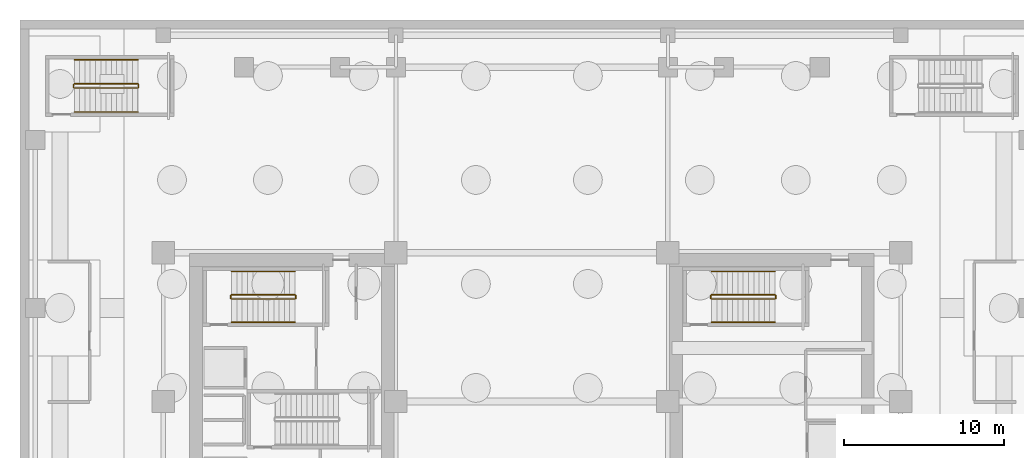
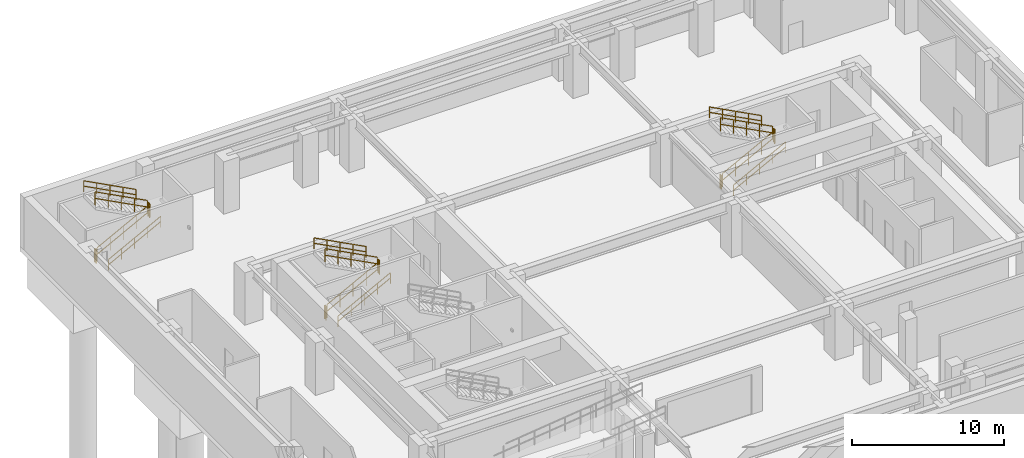
# One storey, part 7 of 9: 18 railings.
"""IFC4 building model written with IfcOpenShell, lengths in metres."""

from ifc_helpers import new_model, si_unit, direction, frame, origin, origin_2d, place, context, subcontext, project, spatial, rectangle, extrude, material, type_object, element, save


model = new_model("IFC4")

# Units and contexts
model_context = context("Model", 3, precision=1e-05, world=origin(), true_north=direction((0.0, 1.0)))
body_context = subcontext(model_context, "Body", "Model", "MODEL_VIEW")
ifc_project = project(units=[si_unit("LENGTHUNIT", "METRE"), si_unit("AREAUNIT", "SQUARE_METRE"), si_unit("VOLUMEUNIT", "CUBIC_METRE"), si_unit("PLANEANGLEUNIT", "RADIAN"), si_unit("MASSUNIT", "GRAM", prefix="KILO")], contexts=[model_context])

# Site, building, storey
site_placement = place(None, origin())
site = spatial("IfcSite", under=ifc_project, at=site_placement, CompositionType="ELEMENT")
building_placement = place(site_placement, origin())
building = spatial("IfcBuilding", under=site, at=building_placement, Name="Ocotamira Hotel", CompositionType="ELEMENT")
storey_placement = place(building_placement, frame((0.0, 0.0, -9.0)))
storey = spatial("IfcBuildingStorey", under=building, at=storey_placement, Name="B02", CompositionType="ELEMENT", Elevation=-9.0)

# Railings
ifc_material_1 = material(Name="Brushed stainless steel handrail", Category="steel")
railing_type_1 = type_object("IfcRailingType", Name="RL-HAND-900", PredefinedType="HANDRAIL", material=ifc_material_1)
railing_1_placement = place(storey_placement, frame((13.22998046875, 33.10009765625, 0.34619140625)))
element("IfcRailing", 1, at=railing_1_placement, inside=storey, type_object=railing_type_1, Name="B02 ST-2 stair handrail 1", PredefinedType="HANDRAIL", context=body_context, shape_type="SweptSolid", body=[
    extrude(rectangle(XDim=0.048095703125, YDim=0.048095703125, at=origin_2d()), frame((0.0, 0.0, 0.8759765625), z_axis=(0.885588829464, 0.0, 0.464470047611), x_axis=(0.0, 1.0, 0.0)), (0.0, 0.0, 1.0), 4.471435546875),
    extrude(rectangle(XDim=0.048095703125, YDim=0.048095703125, at=origin_2d()), frame((0.0, 0.0, 0.449951171875), z_axis=(0.885588829464, 0.0, 0.464470047611), x_axis=(0.0, 1.0, 0.0)), (0.0, 0.0, 1.0), 4.471435546875),
    extrude(rectangle(XDim=0.0419921875, YDim=0.0419921875, at=origin_2d()), origin(), (0.0, 0.0, 1.0), 0.851806640625),
    extrude(rectangle(XDim=0.0419921875, YDim=0.0419921875, at=origin_2d()), frame((0.989990234375, 0.0, 0.519287109375)), (0.0, 0.0, 1.0), 0.851806640625),
    extrude(rectangle(XDim=0.0419921875, YDim=0.0419921875, at=origin_2d()), frame((1.97998046875, 0.0, 1.03857421875)), (0.0, 0.0, 1.0), 0.851806640625),
    extrude(rectangle(XDim=0.0419921875, YDim=0.0419921875, at=origin_2d()), frame((2.969970703125, 0.0, 1.5576171875)), (0.0, 0.0, 1.0), 0.851806640625),
    extrude(rectangle(XDim=0.0419921875, YDim=0.0419921875, at=origin_2d()), frame((3.9599609375, 0.0, 2.076904296875)), (0.0, 0.0, 1.0), 0.851806640625),
])
railing_2_placement = place(storey_placement, frame((17.18994140625, 36.280029296875, 2.59619140625)))
element("IfcRailing", 2, at=railing_2_placement, inside=storey, type_object=railing_type_1, Name="B02 ST-2 stair handrail 2", PredefinedType="HANDRAIL", context=body_context, shape_type="SweptSolid", body=[
    extrude(rectangle(XDim=0.048095703125, YDim=0.048095703125, at=origin_2d()), frame((0.0, 0.0, 0.8759765625), z_axis=(-0.885588829464, 0.0, 0.464470047611), x_axis=(0.0, -1.0, 0.0)), (0.0, 0.0, 1.0), 4.471435546875),
    extrude(rectangle(XDim=0.048095703125, YDim=0.048095703125, at=origin_2d()), frame((0.0, 0.0, 0.449951171875), z_axis=(-0.885588829464, 0.0, 0.464470047611), x_axis=(0.0, -1.0, 0.0)), (0.0, 0.0, 1.0), 4.471435546875),
    extrude(rectangle(XDim=0.0419921875, YDim=0.0419921875, at=origin_2d()), origin(), (0.0, 0.0, 1.0), 0.851806640625),
    extrude(rectangle(XDim=0.0419921875, YDim=0.0419921875, at=origin_2d()), frame((-0.989990234375, 0.0, 0.519287109375)), (0.0, 0.0, 1.0), 0.851806640625),
    extrude(rectangle(XDim=0.0419921875, YDim=0.0419921875, at=origin_2d()), frame((-1.97998046875, 0.0, 1.03857421875)), (0.0, 0.0, 1.0), 0.851806640625),
    extrude(rectangle(XDim=0.0419921875, YDim=0.0419921875, at=origin_2d()), frame((-2.969970703125, 0.0, 1.5576171875)), (0.0, 0.0, 1.0), 0.851806640625),
    extrude(rectangle(XDim=0.0419921875, YDim=0.0419921875, at=origin_2d()), frame((-3.9599609375, 0.0, 2.076904296875)), (0.0, 0.0, 1.0), 0.851806640625),
])
railing_3_placement = place(storey_placement, frame((43.22998046875, 33.10009765625, 0.34619140625)))
element("IfcRailing", 3, at=railing_3_placement, inside=storey, type_object=railing_type_1, Name="B02 ST-4 stair handrail 1", PredefinedType="HANDRAIL", context=body_context, shape_type="SweptSolid", body=[
    extrude(rectangle(XDim=0.048095703125, YDim=0.048095703125, at=origin_2d()), frame((0.0, 0.0, 0.8759765625), z_axis=(0.885588829464, 0.0, 0.464470047611), x_axis=(0.0, 1.0, 0.0)), (0.0, 0.0, 1.0), 4.471435546875),
    extrude(rectangle(XDim=0.048095703125, YDim=0.048095703125, at=origin_2d()), frame((0.0, 0.0, 0.449951171875), z_axis=(0.885588829464, 0.0, 0.464470047611), x_axis=(0.0, 1.0, 0.0)), (0.0, 0.0, 1.0), 4.471435546875),
    extrude(rectangle(XDim=0.0419921875, YDim=0.0419921875, at=origin_2d()), origin(), (0.0, 0.0, 1.0), 0.851806640625),
    extrude(rectangle(XDim=0.0419921875, YDim=0.0419921875, at=origin_2d()), frame((0.989990234375, 0.0, 0.519287109375)), (0.0, 0.0, 1.0), 0.851806640625),
    extrude(rectangle(XDim=0.0419921875, YDim=0.0419921875, at=origin_2d()), frame((1.97998046875, 0.0, 1.03857421875)), (0.0, 0.0, 1.0), 0.851806640625),
    extrude(rectangle(XDim=0.0419921875, YDim=0.0419921875, at=origin_2d()), frame((2.969970703125, 0.0, 1.5576171875)), (0.0, 0.0, 1.0), 0.851806640625),
    extrude(rectangle(XDim=0.0419921875, YDim=0.0419921875, at=origin_2d()), frame((3.9599609375, 0.0, 2.076904296875)), (0.0, 0.0, 1.0), 0.851806640625),
])
railing_4_placement = place(storey_placement, frame((47.18994140625, 36.280029296875, 2.59619140625)))
element("IfcRailing", 4, at=railing_4_placement, inside=storey, type_object=railing_type_1, Name="B02 ST-4 stair handrail 2", PredefinedType="HANDRAIL", context=body_context, shape_type="SweptSolid", body=[
    extrude(rectangle(XDim=0.048095703125, YDim=0.048095703125, at=origin_2d()), frame((0.0, 0.0, 0.8759765625), z_axis=(-0.885588829464, 0.0, 0.464470047611), x_axis=(0.0, -1.0, 0.0)), (0.0, 0.0, 1.0), 4.471435546875),
    extrude(rectangle(XDim=0.048095703125, YDim=0.048095703125, at=origin_2d()), frame((0.0, 0.0, 0.449951171875), z_axis=(-0.885588829464, 0.0, 0.464470047611), x_axis=(0.0, -1.0, 0.0)), (0.0, 0.0, 1.0), 4.471435546875),
    extrude(rectangle(XDim=0.0419921875, YDim=0.0419921875, at=origin_2d()), origin(), (0.0, 0.0, 1.0), 0.851806640625),
    extrude(rectangle(XDim=0.0419921875, YDim=0.0419921875, at=origin_2d()), frame((-0.989990234375, 0.0, 0.519287109375)), (0.0, 0.0, 1.0), 0.851806640625),
    extrude(rectangle(XDim=0.0419921875, YDim=0.0419921875, at=origin_2d()), frame((-1.97998046875, 0.0, 1.03857421875)), (0.0, 0.0, 1.0), 0.851806640625),
    extrude(rectangle(XDim=0.0419921875, YDim=0.0419921875, at=origin_2d()), frame((-2.969970703125, 0.0, 1.5576171875)), (0.0, 0.0, 1.0), 0.851806640625),
    extrude(rectangle(XDim=0.0419921875, YDim=0.0419921875, at=origin_2d()), frame((-3.9599609375, 0.0, 2.076904296875)), (0.0, 0.0, 1.0), 0.851806640625),
])
railing_5_placement = place(storey_placement, frame((3.39990234375, 46.25, 0.34619140625)))
element("IfcRailing", 5, at=railing_5_placement, inside=storey, type_object=railing_type_1, Name="B02 ST-5 stair handrail 1", PredefinedType="HANDRAIL", context=body_context, shape_type="SweptSolid", body=[
    extrude(rectangle(XDim=0.048095703125, YDim=0.048095703125, at=origin_2d()), frame((0.0, 0.0, 0.8759765625), z_axis=(0.885600607292, 0.0, 0.464447590545), x_axis=(0.0, 1.0, 0.0)), (0.0, 0.0, 1.0), 4.4716796875),
    extrude(rectangle(XDim=0.048095703125, YDim=0.048095703125, at=origin_2d()), frame((0.0, 0.0, 0.449951171875), z_axis=(0.885600607292, 0.0, 0.464447590545), x_axis=(0.0, 1.0, 0.0)), (0.0, 0.0, 1.0), 4.4716796875),
    extrude(rectangle(XDim=0.0419921875, YDim=0.0419921875, at=origin_2d()), origin(), (0.0, 0.0, 1.0), 0.851806640625),
    extrude(rectangle(XDim=0.0419921875, YDim=0.0419921875, at=origin_2d()), frame((0.989990234375, 0.0, 0.519287109375)), (0.0, 0.0, 1.0), 0.851806640625),
    extrude(rectangle(XDim=0.0419921875, YDim=0.0419921875, at=origin_2d()), frame((1.97998046875, 0.0, 1.03857421875)), (0.0, 0.0, 1.0), 0.851806640625),
    extrude(rectangle(XDim=0.0419921875, YDim=0.0419921875, at=origin_2d()), frame((2.97021484375, 0.0, 1.5576171875)), (0.0, 0.0, 1.0), 0.851806640625),
    extrude(rectangle(XDim=0.0419921875, YDim=0.0419921875, at=origin_2d()), frame((3.960205078125, 0.0, 2.076904296875)), (0.0, 0.0, 1.0), 0.851806640625),
])
railing_6_placement = place(storey_placement, frame((7.360107421875, 49.510009765625, 2.59619140625)))
element("IfcRailing", 6, at=railing_6_placement, inside=storey, type_object=railing_type_1, Name="B02 ST-5 stair handrail 2", PredefinedType="HANDRAIL", context=body_context, shape_type="SweptSolid", body=[
    extrude(rectangle(XDim=0.048095703125, YDim=0.048095703125, at=origin_2d()), frame((0.0, 0.0, 0.8759765625), z_axis=(-0.885600607292, 0.0, 0.464447590545), x_axis=(0.0, -1.0, 0.0)), (0.0, 0.0, 1.0), 4.4716796875),
    extrude(rectangle(XDim=0.048095703125, YDim=0.048095703125, at=origin_2d()), frame((0.0, 0.0, 0.449951171875), z_axis=(-0.885600607292, 0.0, 0.464447590545), x_axis=(0.0, -1.0, 0.0)), (0.0, 0.0, 1.0), 4.4716796875),
    extrude(rectangle(XDim=0.0419921875, YDim=0.0419921875, at=origin_2d()), origin(), (0.0, 0.0, 1.0), 0.851806640625),
    extrude(rectangle(XDim=0.0419921875, YDim=0.0419921875, at=origin_2d()), frame((-0.989990234375, 0.0, 0.519287109375)), (0.0, 0.0, 1.0), 0.851806640625),
    extrude(rectangle(XDim=0.0419921875, YDim=0.0419921875, at=origin_2d()), frame((-1.97998046875, 0.0, 1.03857421875)), (0.0, 0.0, 1.0), 0.851806640625),
    extrude(rectangle(XDim=0.0419921875, YDim=0.0419921875, at=origin_2d()), frame((-2.97021484375, 0.0, 1.5576171875)), (0.0, 0.0, 1.0), 0.851806640625),
    extrude(rectangle(XDim=0.0419921875, YDim=0.0419921875, at=origin_2d()), frame((-3.960205078125, 0.0, 2.076904296875)), (0.0, 0.0, 1.0), 0.851806640625),
])
ifc_material_2 = material(Name="Painted steel stair guardrail", Category="steel")
railing_type_2 = type_object("IfcRailingType", Name="RL-STAIR-1100", PredefinedType="GUARDRAIL", material=ifc_material_2)
railing_7_placement = place(storey_placement, frame((13.22998046875, 34.56005859375, 0.173095703125)))
element("IfcRailing", 7, at=railing_7_placement, inside=storey, type_object=railing_type_2, Name="B02 ST-2 stair guard 1", PredefinedType="GUARDRAIL", context=body_context, shape_type="SweptSolid", body=[
    extrude(rectangle(XDim=0.048095703125, YDim=0.048095703125, at=origin_2d()), frame((0.0, 0.0, 1.076171875), z_axis=(0.885588829464, 0.0, 0.464470047611), x_axis=(0.0, 1.0, 0.0)), (0.0, 0.0, 1.0), 4.471435546875),
    extrude(rectangle(XDim=0.048095703125, YDim=0.048095703125, at=origin_2d()), frame((0.0, 0.0, 0.550048828125), z_axis=(0.885588829464, 0.0, 0.464470047611), x_axis=(0.0, 1.0, 0.0)), (0.0, 0.0, 1.0), 4.471435546875),
    extrude(rectangle(XDim=0.0419921875, YDim=0.0419921875, at=origin_2d()), origin(), (0.0, 0.0, 1.0), 1.052001953125),
    extrude(rectangle(XDim=0.0419921875, YDim=0.0419921875, at=origin_2d()), frame((0.989990234375, 0.0, 0.519287109375)), (0.0, 0.0, 1.0), 1.052001953125),
    extrude(rectangle(XDim=0.0419921875, YDim=0.0419921875, at=origin_2d()), frame((1.97998046875, 0.0, 1.03857421875)), (0.0, 0.0, 1.0), 1.052001953125),
    extrude(rectangle(XDim=0.0419921875, YDim=0.0419921875, at=origin_2d()), frame((2.969970703125, 0.0, 1.5576171875)), (0.0, 0.0, 1.0), 1.052001953125),
    extrude(rectangle(XDim=0.0419921875, YDim=0.0419921875, at=origin_2d()), frame((3.9599609375, 0.0, 2.076904296875)), (0.0, 0.0, 1.0), 1.052001953125),
])
railing_8_placement = place(storey_placement, frame((17.239990234375, 34.610107421875, 2.25)))
element("IfcRailing", 8, at=railing_8_placement, inside=storey, type_object=railing_type_2, Name="B02 ST-2 stair guard 2", PredefinedType="GUARDRAIL", context=body_context, shape_type="SweptSolid", body=[
    extrude(rectangle(XDim=0.048095703125, YDim=0.048095703125, at=origin_2d()), frame((0.0, 0.0, 1.076171875), z_axis=(0.0, 1.0, 0.0), x_axis=(-1.0, 0.0, 0.0)), (0.0, 0.0, 1.0), 0.159912109375),
    extrude(rectangle(XDim=0.048095703125, YDim=0.048095703125, at=origin_2d()), frame((0.0, 0.0, 0.550048828125), z_axis=(0.0, 1.0, 0.0), x_axis=(-1.0, 0.0, 0.0)), (0.0, 0.0, 1.0), 0.159912109375),
    extrude(rectangle(XDim=0.0419921875, YDim=0.0419921875, at=origin_2d()), origin(), (0.0, 0.0, 1.0), 1.052001953125),
    extrude(rectangle(XDim=0.0419921875, YDim=0.0419921875, at=origin_2d()), frame((0.0, 0.159912109375, 0.0)), (0.0, 0.0, 1.0), 1.052001953125),
])
railing_9_placement = place(storey_placement, frame((17.18994140625, 34.820068359375, 2.423095703125)))
element("IfcRailing", 9, at=railing_9_placement, inside=storey, type_object=railing_type_2, Name="B02 ST-2 stair guard 3", PredefinedType="GUARDRAIL", context=body_context, shape_type="SweptSolid", body=[
    extrude(rectangle(XDim=0.048095703125, YDim=0.048095703125, at=origin_2d()), frame((0.0, 0.0, 1.076171875), z_axis=(-0.885588829464, 0.0, 0.464470047611), x_axis=(0.0, -1.0, 0.0)), (0.0, 0.0, 1.0), 4.471435546875),
    extrude(rectangle(XDim=0.048095703125, YDim=0.048095703125, at=origin_2d()), frame((0.0, 0.0, 0.550048828125), z_axis=(-0.885588829464, 0.0, 0.464470047611), x_axis=(0.0, -1.0, 0.0)), (0.0, 0.0, 1.0), 4.471435546875),
    extrude(rectangle(XDim=0.0419921875, YDim=0.0419921875, at=origin_2d()), origin(), (0.0, 0.0, 1.0), 1.052001953125),
    extrude(rectangle(XDim=0.0419921875, YDim=0.0419921875, at=origin_2d()), frame((-0.989990234375, 0.0, 0.519287109375)), (0.0, 0.0, 1.0), 1.052001953125),
    extrude(rectangle(XDim=0.0419921875, YDim=0.0419921875, at=origin_2d()), frame((-1.97998046875, 0.0, 1.03857421875)), (0.0, 0.0, 1.0), 1.052001953125),
    extrude(rectangle(XDim=0.0419921875, YDim=0.0419921875, at=origin_2d()), frame((-2.969970703125, 0.0, 1.5576171875)), (0.0, 0.0, 1.0), 1.052001953125),
    extrude(rectangle(XDim=0.0419921875, YDim=0.0419921875, at=origin_2d()), frame((-3.9599609375, 0.0, 2.076904296875)), (0.0, 0.0, 1.0), 1.052001953125),
])
railing_10_placement = place(storey_placement, frame((13.179931640625, 34.610107421875, 0.0)))
element("IfcRailing", 10, at=railing_10_placement, inside=storey, type_object=railing_type_2, Name="B02 ST-2 stair guard 4", PredefinedType="GUARDRAIL", context=body_context, shape_type="SweptSolid", body=[
    extrude(rectangle(XDim=0.048095703125, YDim=0.048095703125, at=origin_2d()), frame((0.0, 0.0, 1.076171875), z_axis=(0.0, 1.0, 0.0), x_axis=(-1.0, 0.0, 0.0)), (0.0, 0.0, 1.0), 0.159912109375),
    extrude(rectangle(XDim=0.048095703125, YDim=0.048095703125, at=origin_2d()), frame((0.0, 0.0, 0.550048828125), z_axis=(0.0, 1.0, 0.0), x_axis=(-1.0, 0.0, 0.0)), (0.0, 0.0, 1.0), 0.159912109375),
    extrude(rectangle(XDim=0.0419921875, YDim=0.0419921875, at=origin_2d()), origin(), (0.0, 0.0, 1.0), 1.052001953125),
    extrude(rectangle(XDim=0.0419921875, YDim=0.0419921875, at=origin_2d()), frame((0.0, 0.159912109375, 0.0)), (0.0, 0.0, 1.0), 1.052001953125),
])
railing_11_placement = place(storey_placement, frame((43.22998046875, 34.56005859375, 0.173095703125)))
element("IfcRailing", 11, at=railing_11_placement, inside=storey, type_object=railing_type_2, Name="B02 ST-4 stair guard 1", PredefinedType="GUARDRAIL", context=body_context, shape_type="SweptSolid", body=[
    extrude(rectangle(XDim=0.048095703125, YDim=0.048095703125, at=origin_2d()), frame((0.0, 0.0, 1.076171875), z_axis=(0.885588829464, 0.0, 0.464470047611), x_axis=(0.0, 1.0, 0.0)), (0.0, 0.0, 1.0), 4.471435546875),
    extrude(rectangle(XDim=0.048095703125, YDim=0.048095703125, at=origin_2d()), frame((0.0, 0.0, 0.550048828125), z_axis=(0.885588829464, 0.0, 0.464470047611), x_axis=(0.0, 1.0, 0.0)), (0.0, 0.0, 1.0), 4.471435546875),
    extrude(rectangle(XDim=0.0419921875, YDim=0.0419921875, at=origin_2d()), origin(), (0.0, 0.0, 1.0), 1.052001953125),
    extrude(rectangle(XDim=0.0419921875, YDim=0.0419921875, at=origin_2d()), frame((0.989990234375, 0.0, 0.519287109375)), (0.0, 0.0, 1.0), 1.052001953125),
    extrude(rectangle(XDim=0.0419921875, YDim=0.0419921875, at=origin_2d()), frame((1.97998046875, 0.0, 1.03857421875)), (0.0, 0.0, 1.0), 1.052001953125),
    extrude(rectangle(XDim=0.0419921875, YDim=0.0419921875, at=origin_2d()), frame((2.969970703125, 0.0, 1.5576171875)), (0.0, 0.0, 1.0), 1.052001953125),
    extrude(rectangle(XDim=0.0419921875, YDim=0.0419921875, at=origin_2d()), frame((3.9599609375, 0.0, 2.076904296875)), (0.0, 0.0, 1.0), 1.052001953125),
])
railing_12_placement = place(storey_placement, frame((47.239990234375, 34.610107421875, 2.25)))
element("IfcRailing", 12, at=railing_12_placement, inside=storey, type_object=railing_type_2, Name="B02 ST-4 stair guard 2", PredefinedType="GUARDRAIL", context=body_context, shape_type="SweptSolid", body=[
    extrude(rectangle(XDim=0.048095703125, YDim=0.048095703125, at=origin_2d()), frame((0.0, 0.0, 1.076171875), z_axis=(0.0, 1.0, 0.0), x_axis=(-1.0, 0.0, 0.0)), (0.0, 0.0, 1.0), 0.159912109375),
    extrude(rectangle(XDim=0.048095703125, YDim=0.048095703125, at=origin_2d()), frame((0.0, 0.0, 0.550048828125), z_axis=(0.0, 1.0, 0.0), x_axis=(-1.0, 0.0, 0.0)), (0.0, 0.0, 1.0), 0.159912109375),
    extrude(rectangle(XDim=0.0419921875, YDim=0.0419921875, at=origin_2d()), origin(), (0.0, 0.0, 1.0), 1.052001953125),
    extrude(rectangle(XDim=0.0419921875, YDim=0.0419921875, at=origin_2d()), frame((0.0, 0.159912109375, 0.0)), (0.0, 0.0, 1.0), 1.052001953125),
])
railing_13_placement = place(storey_placement, frame((47.18994140625, 34.820068359375, 2.423095703125)))
element("IfcRailing", 13, at=railing_13_placement, inside=storey, type_object=railing_type_2, Name="B02 ST-4 stair guard 3", PredefinedType="GUARDRAIL", context=body_context, shape_type="SweptSolid", body=[
    extrude(rectangle(XDim=0.048095703125, YDim=0.048095703125, at=origin_2d()), frame((0.0, 0.0, 1.076171875), z_axis=(-0.885588829464, 0.0, 0.464470047611), x_axis=(0.0, -1.0, 0.0)), (0.0, 0.0, 1.0), 4.471435546875),
    extrude(rectangle(XDim=0.048095703125, YDim=0.048095703125, at=origin_2d()), frame((0.0, 0.0, 0.550048828125), z_axis=(-0.885588829464, 0.0, 0.464470047611), x_axis=(0.0, -1.0, 0.0)), (0.0, 0.0, 1.0), 4.471435546875),
    extrude(rectangle(XDim=0.0419921875, YDim=0.0419921875, at=origin_2d()), origin(), (0.0, 0.0, 1.0), 1.052001953125),
    extrude(rectangle(XDim=0.0419921875, YDim=0.0419921875, at=origin_2d()), frame((-0.989990234375, 0.0, 0.519287109375)), (0.0, 0.0, 1.0), 1.052001953125),
    extrude(rectangle(XDim=0.0419921875, YDim=0.0419921875, at=origin_2d()), frame((-1.97998046875, 0.0, 1.03857421875)), (0.0, 0.0, 1.0), 1.052001953125),
    extrude(rectangle(XDim=0.0419921875, YDim=0.0419921875, at=origin_2d()), frame((-2.969970703125, 0.0, 1.5576171875)), (0.0, 0.0, 1.0), 1.052001953125),
    extrude(rectangle(XDim=0.0419921875, YDim=0.0419921875, at=origin_2d()), frame((-3.9599609375, 0.0, 2.076904296875)), (0.0, 0.0, 1.0), 1.052001953125),
])
railing_14_placement = place(storey_placement, frame((43.179931640625, 34.610107421875, 0.0)))
element("IfcRailing", 14, at=railing_14_placement, inside=storey, type_object=railing_type_2, Name="B02 ST-4 stair guard 4", PredefinedType="GUARDRAIL", context=body_context, shape_type="SweptSolid", body=[
    extrude(rectangle(XDim=0.048095703125, YDim=0.048095703125, at=origin_2d()), frame((0.0, 0.0, 1.076171875), z_axis=(0.0, 1.0, 0.0), x_axis=(-1.0, 0.0, 0.0)), (0.0, 0.0, 1.0), 0.159912109375),
    extrude(rectangle(XDim=0.048095703125, YDim=0.048095703125, at=origin_2d()), frame((0.0, 0.0, 0.550048828125), z_axis=(0.0, 1.0, 0.0), x_axis=(-1.0, 0.0, 0.0)), (0.0, 0.0, 1.0), 0.159912109375),
    extrude(rectangle(XDim=0.0419921875, YDim=0.0419921875, at=origin_2d()), origin(), (0.0, 0.0, 1.0), 1.052001953125),
    extrude(rectangle(XDim=0.0419921875, YDim=0.0419921875, at=origin_2d()), frame((0.0, 0.159912109375, 0.0)), (0.0, 0.0, 1.0), 1.052001953125),
])
railing_15_placement = place(storey_placement, frame((3.39990234375, 47.75, 0.173095703125)))
element("IfcRailing", 15, at=railing_15_placement, inside=storey, type_object=railing_type_2, Name="B02 ST-5 stair guard 1", PredefinedType="GUARDRAIL", context=body_context, shape_type="SweptSolid", body=[
    extrude(rectangle(XDim=0.048095703125, YDim=0.048095703125, at=origin_2d()), frame((0.0, 0.0, 1.076171875), z_axis=(0.885600607292, 0.0, 0.464447590545), x_axis=(0.0, 1.0, 0.0)), (0.0, 0.0, 1.0), 4.4716796875),
    extrude(rectangle(XDim=0.048095703125, YDim=0.048095703125, at=origin_2d()), frame((0.0, 0.0, 0.550048828125), z_axis=(0.885600607292, 0.0, 0.464447590545), x_axis=(0.0, 1.0, 0.0)), (0.0, 0.0, 1.0), 4.4716796875),
    extrude(rectangle(XDim=0.0419921875, YDim=0.0419921875, at=origin_2d()), origin(), (0.0, 0.0, 1.0), 1.052001953125),
    extrude(rectangle(XDim=0.0419921875, YDim=0.0419921875, at=origin_2d()), frame((0.989990234375, 0.0, 0.519287109375)), (0.0, 0.0, 1.0), 1.052001953125),
    extrude(rectangle(XDim=0.0419921875, YDim=0.0419921875, at=origin_2d()), frame((1.97998046875, 0.0, 1.03857421875)), (0.0, 0.0, 1.0), 1.052001953125),
    extrude(rectangle(XDim=0.0419921875, YDim=0.0419921875, at=origin_2d()), frame((2.97021484375, 0.0, 1.5576171875)), (0.0, 0.0, 1.0), 1.052001953125),
    extrude(rectangle(XDim=0.0419921875, YDim=0.0419921875, at=origin_2d()), frame((3.960205078125, 0.0, 2.076904296875)), (0.0, 0.0, 1.0), 1.052001953125),
])
railing_16_placement = place(storey_placement, frame((7.409912109375, 47.800048828125, 2.25)))
element("IfcRailing", 16, at=railing_16_placement, inside=storey, type_object=railing_type_2, Name="B02 ST-5 stair guard 2", PredefinedType="GUARDRAIL", context=body_context, shape_type="SweptSolid", body=[
    extrude(rectangle(XDim=0.048095703125, YDim=0.048095703125, at=origin_2d()), frame((0.0, 0.0, 1.076171875), z_axis=(0.0, 1.0, 0.0), x_axis=(-1.0, 0.0, 0.0)), (0.0, 0.0, 1.0), 0.159912109375),
    extrude(rectangle(XDim=0.048095703125, YDim=0.048095703125, at=origin_2d()), frame((0.0, 0.0, 0.550048828125), z_axis=(0.0, 1.0, 0.0), x_axis=(-1.0, 0.0, 0.0)), (0.0, 0.0, 1.0), 0.159912109375),
    extrude(rectangle(XDim=0.0419921875, YDim=0.0419921875, at=origin_2d()), origin(), (0.0, 0.0, 1.0), 1.052001953125),
    extrude(rectangle(XDim=0.0419921875, YDim=0.0419921875, at=origin_2d()), frame((0.0, 0.159912109375, 0.0)), (0.0, 0.0, 1.0), 1.052001953125),
])
railing_17_placement = place(storey_placement, frame((7.360107421875, 48.010009765625, 2.423095703125)))
element("IfcRailing", 17, at=railing_17_placement, inside=storey, type_object=railing_type_2, Name="B02 ST-5 stair guard 3", PredefinedType="GUARDRAIL", context=body_context, shape_type="SweptSolid", body=[
    extrude(rectangle(XDim=0.048095703125, YDim=0.048095703125, at=origin_2d()), frame((0.0, 0.0, 1.076171875), z_axis=(-0.885600607292, 0.0, 0.464447590545), x_axis=(0.0, -1.0, 0.0)), (0.0, 0.0, 1.0), 4.4716796875),
    extrude(rectangle(XDim=0.048095703125, YDim=0.048095703125, at=origin_2d()), frame((0.0, 0.0, 0.550048828125), z_axis=(-0.885600607292, 0.0, 0.464447590545), x_axis=(0.0, -1.0, 0.0)), (0.0, 0.0, 1.0), 4.4716796875),
    extrude(rectangle(XDim=0.0419921875, YDim=0.0419921875, at=origin_2d()), origin(), (0.0, 0.0, 1.0), 1.052001953125),
    extrude(rectangle(XDim=0.0419921875, YDim=0.0419921875, at=origin_2d()), frame((-0.989990234375, 0.0, 0.519287109375)), (0.0, 0.0, 1.0), 1.052001953125),
    extrude(rectangle(XDim=0.0419921875, YDim=0.0419921875, at=origin_2d()), frame((-1.97998046875, 0.0, 1.03857421875)), (0.0, 0.0, 1.0), 1.052001953125),
    extrude(rectangle(XDim=0.0419921875, YDim=0.0419921875, at=origin_2d()), frame((-2.97021484375, 0.0, 1.5576171875)), (0.0, 0.0, 1.0), 1.052001953125),
    extrude(rectangle(XDim=0.0419921875, YDim=0.0419921875, at=origin_2d()), frame((-3.960205078125, 0.0, 2.076904296875)), (0.0, 0.0, 1.0), 1.052001953125),
])
railing_18_placement = place(storey_placement, frame((3.35009765625, 47.800048828125, 0.0)))
element("IfcRailing", 18, at=railing_18_placement, inside=storey, type_object=railing_type_2, Name="B02 ST-5 stair guard 4", PredefinedType="GUARDRAIL", context=body_context, shape_type="SweptSolid", body=[
    extrude(rectangle(XDim=0.048095703125, YDim=0.048095703125, at=origin_2d()), frame((0.0, 0.0, 1.076171875), z_axis=(0.0, 1.0, 0.0), x_axis=(-1.0, 0.0, 0.0)), (0.0, 0.0, 1.0), 0.159912109375),
    extrude(rectangle(XDim=0.048095703125, YDim=0.048095703125, at=origin_2d()), frame((0.0, 0.0, 0.550048828125), z_axis=(0.0, 1.0, 0.0), x_axis=(-1.0, 0.0, 0.0)), (0.0, 0.0, 1.0), 0.159912109375),
    extrude(rectangle(XDim=0.0419921875, YDim=0.0419921875, at=origin_2d()), origin(), (0.0, 0.0, 1.0), 1.052001953125),
    extrude(rectangle(XDim=0.0419921875, YDim=0.0419921875, at=origin_2d()), frame((0.0, 0.159912109375, 0.0)), (0.0, 0.0, 1.0), 1.052001953125),
])

save(model, "model.ifc")
